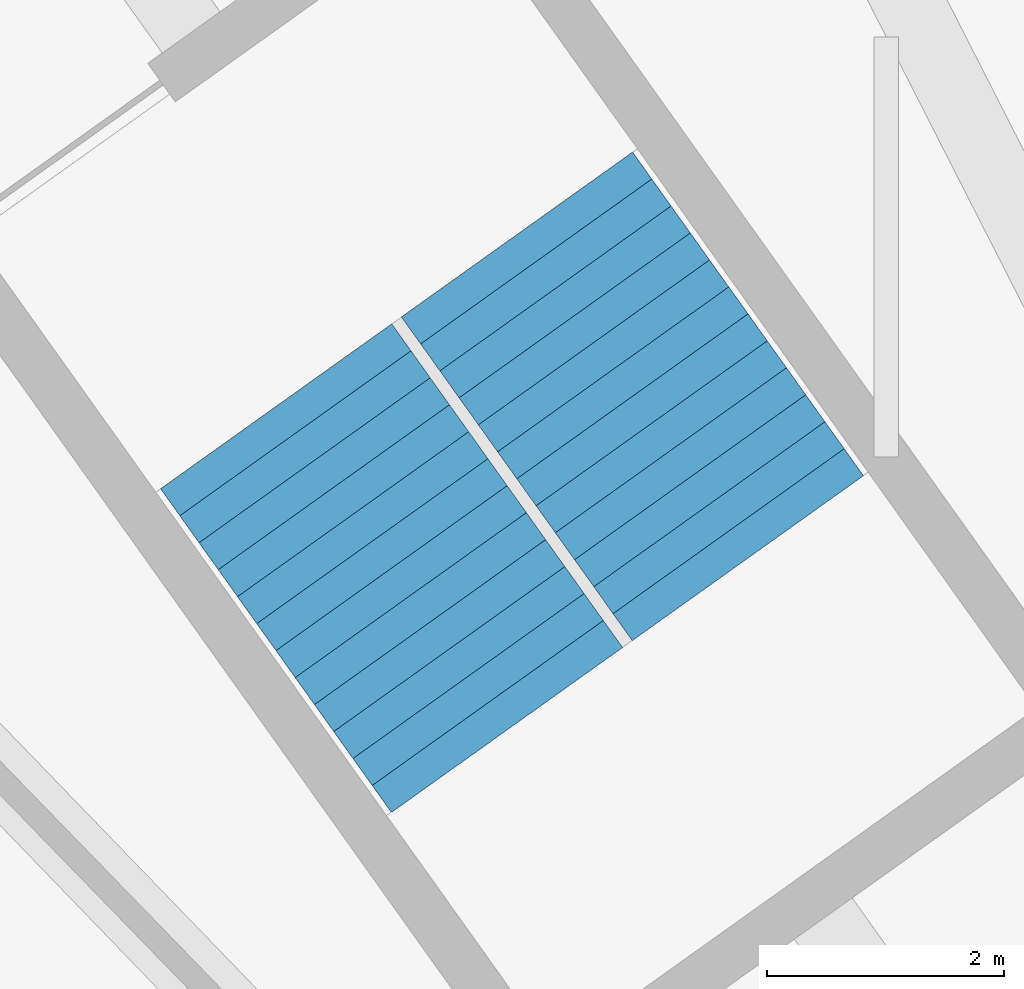
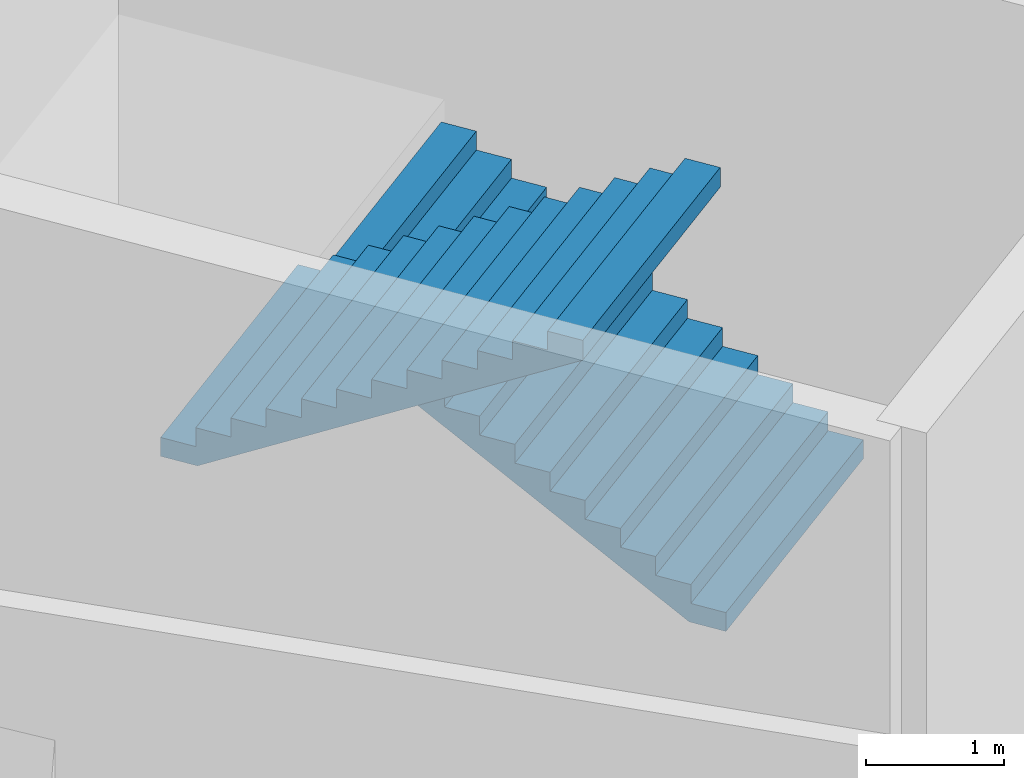
# One storey, part 34 of 47: 2 stair flights, 1 element without a shape of its own.
"""IFC4 building model written with IfcOpenShell, lengths in metres."""

from ifc_helpers import new_model, si_unit, direction, frame, origin, place, context, subcontext, project, spatial, triangles, material, type_object, element, aggregate, save


model = new_model("IFC4")

# Units and contexts
model_context = context("Model", 3, precision=1e-05, world=origin(), true_north=direction((0.0, 1.0)))
body_context = subcontext(model_context, "Body", "Model", "MODEL_VIEW")
ifc_project = project(units=[si_unit("LENGTHUNIT", "METRE"), si_unit("AREAUNIT", "SQUARE_METRE"), si_unit("VOLUMEUNIT", "CUBIC_METRE"), si_unit("PLANEANGLEUNIT", "RADIAN"), si_unit("MASSUNIT", "GRAM", prefix="KILO")], contexts=[model_context])

# Site, building, storey
site_placement = place(None, origin())
site = spatial("IfcSite", under=ifc_project, at=site_placement, CompositionType="ELEMENT")
building_placement = place(site_placement, origin())
building = spatial("IfcBuilding", under=site, at=building_placement, Name="Lantaw Convention Tower", CompositionType="ELEMENT")
storey_placement = place(building_placement, origin())
storey = spatial("IfcBuildingStorey", under=building, at=storey_placement, Name="L00", CompositionType="ELEMENT", Elevation=0.0)

# Stair, stair flights
ifc_material = material(Name="Concrete C35/45", Category="concrete")
stair_type = type_object("IfcStairType", Name="Exit stair 2400 riser 166.67 in 3 flights", PredefinedType="HALF_TURN_STAIR", material=ifc_material)
stair_placement = place(storey_placement, origin())
stair = element("IfcStair", 1, at=stair_placement, inside=storey, type_object=stair_type, Name="Podium exit stair P6 L00", PredefinedType="HALF_TURN_STAIR")
stair_flight_type = type_object("IfcStairFlightType", Name="Stair flight 2400 riser 166.67", PredefinedType="STRAIGHT", material=ifc_material)
stair_flight_1_placement = place(storey_placement, frame((-16.97021484375, 25.944091796875, 2.166748046875), z_axis=(0.0, 0.0, 1.0), x_axis=(-0.580702955711, 0.814115518356, 0.0)))
stair_flight_1 = element("IfcStairFlight", 2, at=stair_flight_1_placement, type_object=stair_flight_type, Name="P6 flight 2", NumberOfRisers=13, NumberOfTreads=12, PredefinedType="STRAIGHT", RiserHeight=0.166666667, TreadLength=0.28, context=body_context, shape_type="Tessellation", body=[
    triangles([(0.0, 1.199951171875, 0.0), (0.0, 1.199951171875, 0.166666667), (0.28, 1.199951171875, 0.0), (0.28, 1.199951171875, 0.166666667), (0.28, 1.199951171875, 0.333333334), (0.29307345806906815, 1.199951171875, 0.0), (0.29307345806906815, 1.199951171875, 0.333333334), (0.56, 1.199951171875, 0.15888484670522912), (0.56, 1.199951171875, 0.333333334), (0.56, 1.199951171875, 0.500000001), (0.8400000000000001, 1.199951171875, 0.3255515137052291), (0.8400000000000001, 1.199951171875, 0.500000001), (0.8400000000000001, 1.199951171875, 0.666666668), (1.12, 1.199951171875, 0.49221818070522905), (1.12, 1.199951171875, 0.666666668), (1.12, 1.199951171875, 0.833333335), (1.4000000000000001, 1.199951171875, 0.658884847705229), (1.4000000000000001, 1.199951171875, 0.833333335), (1.4000000000000001, 1.199951171875, 1.000000002), (1.6800000000000002, 1.199951171875, 0.825551514705229), (1.6800000000000002, 1.199951171875, 1.000000002), (1.6800000000000002, 1.199951171875, 1.166666669), (1.9600000000000002, 1.199951171875, 0.992218181705229), (1.9600000000000002, 1.199951171875, 1.166666669), (1.9600000000000002, 1.199951171875, 1.333333336), (2.24, 1.199951171875, 1.158884848705229), (2.24, 1.199951171875, 1.333333336), (2.24, 1.199951171875, 1.5000000029999998), (2.5200000000000005, 1.199951171875, 1.325551515705229), (2.5200000000000005, 1.199951171875, 1.5000000029999998), (2.5200000000000005, 1.199951171875, 1.66666667), (2.8000000000000003, 1.199951171875, 1.492218182705229), (2.8000000000000003, 1.199951171875, 1.66666667), (2.8000000000000003, 1.199951171875, 1.833333337), (3.08, 1.199951171875, 1.6588848497052289), (3.08, 1.199951171875, 1.833333337), (3.08, 1.199951171875, 2.000000004), (3.3600000000000003, 1.199951171875, 1.825551516705229), (3.3600000000000003, 1.199951171875, 2.000000004), (0.0, -1.199951171875, 0.0), (0.0, -1.199951171875, 0.166666667), (0.28, -1.199951171875, 0.0), (0.28, -1.199951171875, 0.166666667), (0.28, -1.199951171875, 0.333333334), (0.29307345806906815, -1.199951171875, 0.0), (0.29307345806906815, -1.199951171875, 0.333333334), (0.56, -1.199951171875, 0.15888484670522912), (0.56, -1.199951171875, 0.333333334), (0.56, -1.199951171875, 0.500000001), (0.8400000000000001, -1.199951171875, 0.3255515137052291), (0.8400000000000001, -1.199951171875, 0.500000001), (0.8400000000000001, -1.199951171875, 0.666666668), (1.12, -1.199951171875, 0.49221818070522905), (1.12, -1.199951171875, 0.666666668), (1.12, -1.199951171875, 0.833333335), (1.4000000000000001, -1.199951171875, 0.658884847705229), (1.4000000000000001, -1.199951171875, 0.833333335), (1.4000000000000001, -1.199951171875, 1.000000002), (1.6800000000000002, -1.199951171875, 0.825551514705229), (1.6800000000000002, -1.199951171875, 1.000000002), (1.6800000000000002, -1.199951171875, 1.166666669), (1.9600000000000002, -1.199951171875, 0.992218181705229), (1.9600000000000002, -1.199951171875, 1.166666669), (1.9600000000000002, -1.199951171875, 1.333333336), (2.24, -1.199951171875, 1.158884848705229), (2.24, -1.199951171875, 1.333333336), (2.24, -1.199951171875, 1.5000000029999998), (2.5200000000000005, -1.199951171875, 1.325551515705229), (2.5200000000000005, -1.199951171875, 1.5000000029999998), (2.5200000000000005, -1.199951171875, 1.66666667), (2.8000000000000003, -1.199951171875, 1.492218182705229), (2.8000000000000003, -1.199951171875, 1.66666667), (2.8000000000000003, -1.199951171875, 1.833333337), (3.08, -1.199951171875, 1.6588848497052289), (3.08, -1.199951171875, 1.833333337), (3.08, -1.199951171875, 2.000000004), (3.3600000000000003, -1.199951171875, 1.825551516705229), (3.3600000000000003, -1.199951171875, 2.000000004), (0.0, 0.239990234375, 0.166666667), (0.0, 0.239990234375, 0.0), (0.0, 0.0, 0.166666667), (0.0, 0.0, 0.0), (0.0, -0.239990234375, 0.166666667), (0.0, -0.239990234375, 0.0), (0.28, 0.239990234375, 0.333333334), (0.28, 0.239990234375, 0.166666667), (0.28, 0.0, 0.333333334), (0.28, 0.0, 0.166666667), (0.28, -0.239990234375, 0.333333334), (0.28, -0.239990234375, 0.166666667), (0.56, 0.239990234375, 0.500000001), (0.56, 0.239990234375, 0.333333334), (0.56, 0.0, 0.500000001), (0.56, 0.0, 0.333333334), (0.56, -0.239990234375, 0.500000001), (0.56, -0.239990234375, 0.333333334), (0.8400000000000001, 0.239990234375, 0.666666668), (0.8400000000000001, 0.239990234375, 0.500000001), (0.8400000000000001, 0.0, 0.666666668), (0.8400000000000001, 0.0, 0.500000001), (0.8400000000000001, -0.239990234375, 0.666666668), (0.8400000000000001, -0.239990234375, 0.500000001), (1.12, 0.239990234375, 0.833333335), (1.12, 0.239990234375, 0.666666668), (1.12, 0.0, 0.833333335), (1.12, 0.0, 0.666666668), (1.12, -0.239990234375, 0.833333335), (1.12, -0.239990234375, 0.666666668), (1.4000000000000001, 0.239990234375, 1.000000002), (1.4000000000000001, 0.239990234375, 0.833333335), (1.4000000000000001, 0.0, 1.000000002), (1.4000000000000001, 0.0, 0.833333335), (1.4000000000000001, -0.239990234375, 1.000000002), (1.4000000000000001, -0.239990234375, 0.833333335), (1.6800000000000002, 0.239990234375, 1.166666669), (1.6800000000000002, 0.239990234375, 1.000000002), (1.6800000000000002, 0.0, 1.166666669), (1.6800000000000002, 0.0, 1.000000002), (1.6800000000000002, -0.239990234375, 1.166666669), (1.6800000000000002, -0.239990234375, 1.000000002), (1.9600000000000002, 0.239990234375, 1.333333336), (1.9600000000000002, 0.239990234375, 1.166666669), (1.9600000000000002, 0.0, 1.333333336), (1.9600000000000002, 0.0, 1.166666669), (1.9600000000000002, -0.239990234375, 1.333333336), (1.9600000000000002, -0.239990234375, 1.166666669), (2.24, 0.239990234375, 1.5000000029999998), (2.24, 0.239990234375, 1.333333336), (2.24, 0.0, 1.5000000029999998), (2.24, 0.0, 1.333333336), (2.24, -0.239990234375, 1.5000000029999998), (2.24, -0.239990234375, 1.333333336), (2.5200000000000005, 0.239990234375, 1.66666667), (2.5200000000000005, 0.239990234375, 1.5000000029999998), (2.5200000000000005, 0.0, 1.66666667), (2.5200000000000005, 0.0, 1.5000000029999998), (2.5200000000000005, -0.239990234375, 1.66666667), (2.5200000000000005, -0.239990234375, 1.5000000029999998), (2.8000000000000003, 0.239990234375, 1.833333337), (2.8000000000000003, 0.239990234375, 1.66666667), (2.8000000000000003, 0.0, 1.833333337), (2.8000000000000003, 0.0, 1.66666667), (2.8000000000000003, -0.239990234375, 1.833333337), (2.8000000000000003, -0.239990234375, 1.66666667), (3.08, 0.239990234375, 2.000000004), (3.08, 0.239990234375, 1.833333337), (3.08, 0.0, 2.000000004), (3.08, 0.0, 1.833333337), (3.08, -0.239990234375, 2.000000004), (3.08, -0.239990234375, 1.833333337), (0.29307345806906815, 0.239990234375, 0.333333334), (0.29307345806906815, 0.0, 0.333333334), (0.29307345806906815, -0.239990234375, 0.333333334), (3.3600000000000003, 0.239990234375, 2.000000004), (3.3600000000000003, 0.0, 2.000000004), (3.3600000000000003, -0.239990234375, 2.000000004), (3.3600000000000003, 0.239990234375, 1.8255515167052292), (3.3600000000000003, 0.0, 1.8255515167052292), (3.3600000000000003, -0.239990234375, 1.8255515167052292), (3.08, 0.239990234375, 1.6588848497052289), (3.08, 0.0, 1.6588848497052289), (3.08, -0.239990234375, 1.6588848497052289), (2.8000000000000003, 0.239990234375, 1.492218182705229), (2.8000000000000003, 0.0, 1.492218182705229), (2.8000000000000003, -0.239990234375, 1.492218182705229), (2.5200000000000005, 0.239990234375, 1.325551515705229), (2.5200000000000005, 0.0, 1.325551515705229), (2.5200000000000005, -0.239990234375, 1.325551515705229), (2.24, 0.239990234375, 1.158884848705229), (2.24, 0.0, 1.158884848705229), (2.24, -0.239990234375, 1.158884848705229), (1.9600000000000002, 0.239990234375, 0.992218181705229), (1.9600000000000002, 0.0, 0.992218181705229), (1.9600000000000002, -0.239990234375, 0.992218181705229), (1.6800000000000002, 0.239990234375, 0.825551514705229), (1.6800000000000002, 0.0, 0.825551514705229), (1.6800000000000002, -0.239990234375, 0.825551514705229), (1.4000000000000001, 0.239990234375, 0.658884847705229), (1.4000000000000001, 0.0, 0.658884847705229), (1.4000000000000001, -0.239990234375, 0.658884847705229), (1.12, 0.239990234375, 0.49221818070522905), (1.12, 0.0, 0.49221818070522905), (1.12, -0.239990234375, 0.49221818070522905), (0.8400000000000001, 0.239990234375, 0.3255515137052291), (0.8400000000000001, 0.0, 0.3255515137052291), (0.8400000000000001, -0.239990234375, 0.3255515137052291), (0.56, 0.239990234375, 0.15888484670522912), (0.56, 0.0, 0.15888484670522912), (0.56, -0.239990234375, 0.15888484670522912), (0.29307345806906815, 0.239990234375, 0.0), (0.29307345806906815, 0.0, 0.0), (0.29307345806906815, -0.239990234375, 0.0), (0.28, 0.239990234375, 0.0), (0.28, 0.0, 0.0), (0.28, -0.239990234375, 0.0)], [[1, 4, 3], [1, 2, 4], [3, 4, 6], [4, 7, 6], [4, 5, 7], [6, 9, 8], [6, 7, 9], [8, 9, 11], [9, 12, 11], [9, 10, 12], [11, 12, 14], [12, 15, 14], [12, 13, 15], [14, 15, 17], [15, 18, 17], [15, 16, 18], [17, 18, 20], [18, 21, 20], [18, 19, 21], [20, 21, 23], [21, 24, 23], [21, 22, 24], [23, 24, 26], [24, 27, 26], [24, 25, 27], [26, 27, 29], [27, 30, 29], [27, 28, 30], [29, 30, 32], [30, 33, 32], [30, 31, 33], [32, 33, 35], [33, 36, 35], [33, 34, 36], [35, 36, 38], [36, 39, 38], [36, 37, 39], [40, 42, 43], [40, 43, 41], [42, 45, 43], [43, 45, 46], [43, 46, 44], [45, 47, 48], [45, 48, 46], [47, 50, 48], [48, 50, 51], [48, 51, 49], [50, 53, 51], [51, 53, 54], [51, 54, 52], [53, 56, 54], [54, 56, 57], [54, 57, 55], [56, 59, 57], [57, 59, 60], [57, 60, 58], [59, 62, 60], [60, 62, 63], [60, 63, 61], [62, 65, 63], [63, 65, 66], [63, 66, 64], [65, 68, 66], [66, 68, 69], [66, 69, 67], [68, 71, 69], [69, 71, 72], [69, 72, 70], [71, 74, 72], [72, 74, 75], [72, 75, 73], [74, 77, 75], [75, 77, 78], [75, 78, 76], [1, 79, 2], [1, 80, 79], [80, 81, 79], [80, 82, 81], [82, 83, 81], [82, 84, 83], [84, 41, 83], [84, 40, 41], [4, 85, 5], [4, 86, 85], [86, 87, 85], [86, 88, 87], [88, 89, 87], [88, 90, 89], [90, 44, 89], [90, 43, 44], [9, 91, 10], [9, 92, 91], [92, 93, 91], [92, 94, 93], [94, 95, 93], [94, 96, 95], [96, 49, 95], [96, 48, 49], [12, 97, 13], [12, 98, 97], [98, 99, 97], [98, 100, 99], [100, 101, 99], [100, 102, 101], [102, 52, 101], [102, 51, 52], [15, 103, 16], [15, 104, 103], [104, 105, 103], [104, 106, 105], [106, 107, 105], [106, 108, 107], [108, 55, 107], [108, 54, 55], [18, 109, 19], [18, 110, 109], [110, 111, 109], [110, 112, 111], [112, 113, 111], [112, 114, 113], [114, 58, 113], [114, 57, 58], [21, 115, 22], [21, 116, 115], [116, 117, 115], [116, 118, 117], [118, 119, 117], [118, 120, 119], [120, 61, 119], [120, 60, 61], [24, 121, 25], [24, 122, 121], [122, 123, 121], [122, 124, 123], [124, 125, 123], [124, 126, 125], [126, 64, 125], [126, 63, 64], [27, 127, 28], [27, 128, 127], [128, 129, 127], [128, 130, 129], [130, 131, 129], [130, 132, 131], [132, 67, 131], [132, 66, 67], [30, 133, 31], [30, 134, 133], [134, 135, 133], [134, 136, 135], [136, 137, 135], [136, 138, 137], [138, 70, 137], [138, 69, 70], [33, 139, 34], [33, 140, 139], [140, 141, 139], [140, 142, 141], [142, 143, 141], [142, 144, 143], [144, 73, 143], [144, 72, 73], [36, 145, 37], [36, 146, 145], [146, 147, 145], [146, 148, 147], [148, 149, 147], [148, 150, 149], [150, 76, 149], [150, 75, 76], [2, 86, 4], [2, 79, 86], [79, 88, 86], [79, 81, 88], [81, 90, 88], [81, 83, 90], [83, 43, 90], [83, 41, 43], [5, 151, 7], [5, 85, 151], [85, 152, 151], [85, 87, 152], [87, 153, 152], [87, 89, 153], [89, 46, 153], [89, 44, 46], [7, 92, 9], [7, 151, 92], [151, 94, 92], [151, 152, 94], [152, 96, 94], [152, 153, 96], [153, 48, 96], [153, 46, 48], [10, 98, 12], [10, 91, 98], [91, 100, 98], [91, 93, 100], [93, 102, 100], [93, 95, 102], [95, 51, 102], [95, 49, 51], [13, 104, 15], [13, 97, 104], [97, 106, 104], [97, 99, 106], [99, 108, 106], [99, 101, 108], [101, 54, 108], [101, 52, 54], [16, 110, 18], [16, 103, 110], [103, 112, 110], [103, 105, 112], [105, 114, 112], [105, 107, 114], [107, 57, 114], [107, 55, 57], [19, 116, 21], [19, 109, 116], [109, 118, 116], [109, 111, 118], [111, 120, 118], [111, 113, 120], [113, 60, 120], [113, 58, 60], [22, 122, 24], [22, 115, 122], [115, 124, 122], [115, 117, 124], [117, 126, 124], [117, 119, 126], [119, 63, 126], [119, 61, 63], [25, 128, 27], [25, 121, 128], [121, 130, 128], [121, 123, 130], [123, 132, 130], [123, 125, 132], [125, 66, 132], [125, 64, 66], [28, 134, 30], [28, 127, 134], [127, 136, 134], [127, 129, 136], [129, 138, 136], [129, 131, 138], [131, 69, 138], [131, 67, 69], [31, 140, 33], [31, 133, 140], [133, 142, 140], [133, 135, 142], [135, 144, 142], [135, 137, 144], [137, 72, 144], [137, 70, 72], [34, 146, 36], [34, 139, 146], [139, 148, 146], [139, 141, 148], [141, 150, 148], [141, 143, 150], [143, 75, 150], [143, 73, 75], [37, 154, 39], [37, 145, 154], [145, 155, 154], [145, 147, 155], [147, 156, 155], [147, 149, 156], [149, 78, 156], [149, 76, 78], [39, 157, 38], [39, 154, 157], [154, 158, 157], [154, 155, 158], [155, 159, 158], [155, 156, 159], [156, 77, 159], [156, 78, 77], [38, 160, 35], [38, 157, 160], [157, 161, 160], [157, 158, 161], [158, 162, 161], [158, 159, 162], [159, 74, 162], [159, 77, 74], [35, 163, 32], [35, 160, 163], [160, 164, 163], [160, 161, 164], [161, 165, 164], [161, 162, 165], [162, 71, 165], [162, 74, 71], [32, 166, 29], [32, 163, 166], [163, 167, 166], [163, 164, 167], [164, 168, 167], [164, 165, 168], [165, 68, 168], [165, 71, 68], [29, 169, 26], [29, 166, 169], [166, 170, 169], [166, 167, 170], [167, 171, 170], [167, 168, 171], [168, 65, 171], [168, 68, 65], [26, 172, 23], [26, 169, 172], [169, 173, 172], [169, 170, 173], [170, 174, 173], [170, 171, 174], [171, 62, 174], [171, 65, 62], [23, 175, 20], [23, 172, 175], [172, 176, 175], [172, 173, 176], [173, 177, 176], [173, 174, 177], [174, 59, 177], [174, 62, 59], [20, 178, 17], [20, 175, 178], [175, 179, 178], [175, 176, 179], [176, 180, 179], [176, 177, 180], [177, 56, 180], [177, 59, 56], [17, 181, 14], [17, 178, 181], [178, 182, 181], [178, 179, 182], [179, 183, 182], [179, 180, 183], [180, 53, 183], [180, 56, 53], [14, 184, 11], [14, 181, 184], [181, 185, 184], [181, 182, 185], [182, 186, 185], [182, 183, 186], [183, 50, 186], [183, 53, 50], [11, 187, 8], [11, 184, 187], [184, 188, 187], [184, 185, 188], [185, 189, 188], [185, 186, 189], [186, 47, 189], [186, 50, 47], [8, 190, 6], [8, 187, 190], [187, 191, 190], [187, 188, 191], [188, 192, 191], [188, 189, 192], [189, 45, 192], [189, 47, 45], [6, 193, 3], [6, 190, 193], [190, 194, 193], [190, 191, 194], [191, 195, 194], [191, 192, 195], [192, 42, 195], [192, 45, 42], [3, 80, 1], [3, 193, 80], [193, 82, 80], [193, 194, 82], [194, 84, 82], [194, 195, 84], [195, 40, 84], [195, 42, 40]], closed=True),
])
stair_flight_2_placement = place(storey_placement, frame((-20.956787109375, 27.2275390625, 4.333251953125), z_axis=(0.0, 0.0, 1.0), x_axis=(0.580702955711, -0.814115518356, 0.0)))
stair_flight_2 = element("IfcStairFlight", 3, at=stair_flight_2_placement, type_object=stair_flight_type, Name="P6 flight 3", NumberOfRisers=13, NumberOfTreads=12, PredefinedType="STRAIGHT", RiserHeight=0.166666667, TreadLength=0.28, context=body_context, shape_type="Tessellation", body=[
    triangles([(0.0, 1.199951171875, 0.0), (0.0, 1.199951171875, 0.166666667), (0.28, 1.199951171875, 0.0), (0.28, 1.199951171875, 0.166666667), (0.28, 1.199951171875, 0.333333334), (0.29307345806906815, 1.199951171875, 0.0), (0.29307345806906815, 1.199951171875, 0.333333334), (0.56, 1.199951171875, 0.15888484670522912), (0.56, 1.199951171875, 0.333333334), (0.56, 1.199951171875, 0.500000001), (0.8400000000000001, 1.199951171875, 0.3255515137052291), (0.8400000000000001, 1.199951171875, 0.500000001), (0.8400000000000001, 1.199951171875, 0.666666668), (1.12, 1.199951171875, 0.49221818070522905), (1.12, 1.199951171875, 0.666666668), (1.12, 1.199951171875, 0.833333335), (1.4000000000000001, 1.199951171875, 0.658884847705229), (1.4000000000000001, 1.199951171875, 0.833333335), (1.4000000000000001, 1.199951171875, 1.000000002), (1.6800000000000002, 1.199951171875, 0.825551514705229), (1.6800000000000002, 1.199951171875, 1.000000002), (1.6800000000000002, 1.199951171875, 1.166666669), (1.9600000000000002, 1.199951171875, 0.992218181705229), (1.9600000000000002, 1.199951171875, 1.166666669), (1.9600000000000002, 1.199951171875, 1.333333336), (2.24, 1.199951171875, 1.158884848705229), (2.24, 1.199951171875, 1.333333336), (2.24, 1.199951171875, 1.5000000029999998), (2.5200000000000005, 1.199951171875, 1.325551515705229), (2.5200000000000005, 1.199951171875, 1.5000000029999998), (2.5200000000000005, 1.199951171875, 1.66666667), (2.8000000000000003, 1.199951171875, 1.492218182705229), (2.8000000000000003, 1.199951171875, 1.66666667), (2.8000000000000003, 1.199951171875, 1.833333337), (3.08, 1.199951171875, 1.6588848497052289), (3.08, 1.199951171875, 1.833333337), (3.08, 1.199951171875, 2.000000004), (3.3600000000000003, 1.199951171875, 1.825551516705229), (3.3600000000000003, 1.199951171875, 2.000000004), (0.0, -1.199951171875, 0.0), (0.0, -1.199951171875, 0.166666667), (0.28, -1.199951171875, 0.0), (0.28, -1.199951171875, 0.166666667), (0.28, -1.199951171875, 0.333333334), (0.29307345806906815, -1.199951171875, 0.0), (0.29307345806906815, -1.199951171875, 0.333333334), (0.56, -1.199951171875, 0.15888484670522912), (0.56, -1.199951171875, 0.333333334), (0.56, -1.199951171875, 0.500000001), (0.8400000000000001, -1.199951171875, 0.3255515137052291), (0.8400000000000001, -1.199951171875, 0.500000001), (0.8400000000000001, -1.199951171875, 0.666666668), (1.12, -1.199951171875, 0.49221818070522905), (1.12, -1.199951171875, 0.666666668), (1.12, -1.199951171875, 0.833333335), (1.4000000000000001, -1.199951171875, 0.658884847705229), (1.4000000000000001, -1.199951171875, 0.833333335), (1.4000000000000001, -1.199951171875, 1.000000002), (1.6800000000000002, -1.199951171875, 0.825551514705229), (1.6800000000000002, -1.199951171875, 1.000000002), (1.6800000000000002, -1.199951171875, 1.166666669), (1.9600000000000002, -1.199951171875, 0.992218181705229), (1.9600000000000002, -1.199951171875, 1.166666669), (1.9600000000000002, -1.199951171875, 1.333333336), (2.24, -1.199951171875, 1.158884848705229), (2.24, -1.199951171875, 1.333333336), (2.24, -1.199951171875, 1.5000000029999998), (2.5200000000000005, -1.199951171875, 1.325551515705229), (2.5200000000000005, -1.199951171875, 1.5000000029999998), (2.5200000000000005, -1.199951171875, 1.66666667), (2.8000000000000003, -1.199951171875, 1.492218182705229), (2.8000000000000003, -1.199951171875, 1.66666667), (2.8000000000000003, -1.199951171875, 1.833333337), (3.08, -1.199951171875, 1.6588848497052289), (3.08, -1.199951171875, 1.833333337), (3.08, -1.199951171875, 2.000000004), (3.3600000000000003, -1.199951171875, 1.825551516705229), (3.3600000000000003, -1.199951171875, 2.000000004), (0.0, 0.239990234375, 0.166666667), (0.0, 0.239990234375, 0.0), (0.0, 0.0, 0.166666667), (0.0, 0.0, 0.0), (0.0, -0.239990234375, 0.166666667), (0.0, -0.239990234375, 0.0), (0.28, 0.239990234375, 0.333333334), (0.28, 0.239990234375, 0.166666667), (0.28, 0.0, 0.333333334), (0.28, 0.0, 0.166666667), (0.28, -0.239990234375, 0.333333334), (0.28, -0.239990234375, 0.166666667), (0.56, 0.239990234375, 0.500000001), (0.56, 0.239990234375, 0.333333334), (0.56, 0.0, 0.500000001), (0.56, 0.0, 0.333333334), (0.56, -0.239990234375, 0.500000001), (0.56, -0.239990234375, 0.333333334), (0.8400000000000001, 0.239990234375, 0.666666668), (0.8400000000000001, 0.239990234375, 0.500000001), (0.8400000000000001, 0.0, 0.666666668), (0.8400000000000001, 0.0, 0.500000001), (0.8400000000000001, -0.239990234375, 0.666666668), (0.8400000000000001, -0.239990234375, 0.500000001), (1.12, 0.239990234375, 0.833333335), (1.12, 0.239990234375, 0.666666668), (1.12, 0.0, 0.833333335), (1.12, 0.0, 0.666666668), (1.12, -0.239990234375, 0.833333335), (1.12, -0.239990234375, 0.666666668), (1.4000000000000001, 0.239990234375, 1.000000002), (1.4000000000000001, 0.239990234375, 0.833333335), (1.4000000000000001, 0.0, 1.000000002), (1.4000000000000001, 0.0, 0.833333335), (1.4000000000000001, -0.239990234375, 1.000000002), (1.4000000000000001, -0.239990234375, 0.833333335), (1.6800000000000002, 0.239990234375, 1.166666669), (1.6800000000000002, 0.239990234375, 1.000000002), (1.6800000000000002, 0.0, 1.166666669), (1.6800000000000002, 0.0, 1.000000002), (1.6800000000000002, -0.239990234375, 1.166666669), (1.6800000000000002, -0.239990234375, 1.000000002), (1.9600000000000002, 0.239990234375, 1.333333336), (1.9600000000000002, 0.239990234375, 1.166666669), (1.9600000000000002, 0.0, 1.333333336), (1.9600000000000002, 0.0, 1.166666669), (1.9600000000000002, -0.239990234375, 1.333333336), (1.9600000000000002, -0.239990234375, 1.166666669), (2.24, 0.239990234375, 1.5000000029999998), (2.24, 0.239990234375, 1.333333336), (2.24, 0.0, 1.5000000029999998), (2.24, 0.0, 1.333333336), (2.24, -0.239990234375, 1.5000000029999998), (2.24, -0.239990234375, 1.333333336), (2.5200000000000005, 0.239990234375, 1.66666667), (2.5200000000000005, 0.239990234375, 1.5000000029999998), (2.5200000000000005, 0.0, 1.66666667), (2.5200000000000005, 0.0, 1.5000000029999998), (2.5200000000000005, -0.239990234375, 1.66666667), (2.5200000000000005, -0.239990234375, 1.5000000029999998), (2.8000000000000003, 0.239990234375, 1.833333337), (2.8000000000000003, 0.239990234375, 1.66666667), (2.8000000000000003, 0.0, 1.833333337), (2.8000000000000003, 0.0, 1.66666667), (2.8000000000000003, -0.239990234375, 1.833333337), (2.8000000000000003, -0.239990234375, 1.66666667), (3.08, 0.239990234375, 2.000000004), (3.08, 0.239990234375, 1.833333337), (3.08, 0.0, 2.000000004), (3.08, 0.0, 1.833333337), (3.08, -0.239990234375, 2.000000004), (3.08, -0.239990234375, 1.833333337), (0.29307345806906815, 0.239990234375, 0.333333334), (0.29307345806906815, 0.0, 0.333333334), (0.29307345806906815, -0.239990234375, 0.333333334), (3.3600000000000003, 0.239990234375, 2.000000004), (3.3600000000000003, 0.0, 2.000000004), (3.3600000000000003, -0.239990234375, 2.000000004), (3.3600000000000003, 0.239990234375, 1.8255515167052292), (3.3600000000000003, 0.0, 1.8255515167052292), (3.3600000000000003, -0.239990234375, 1.8255515167052292), (3.08, 0.239990234375, 1.6588848497052289), (3.08, 0.0, 1.6588848497052289), (3.08, -0.239990234375, 1.6588848497052289), (2.8000000000000003, 0.239990234375, 1.492218182705229), (2.8000000000000003, 0.0, 1.492218182705229), (2.8000000000000003, -0.239990234375, 1.492218182705229), (2.5200000000000005, 0.239990234375, 1.325551515705229), (2.5200000000000005, 0.0, 1.325551515705229), (2.5200000000000005, -0.239990234375, 1.325551515705229), (2.24, 0.239990234375, 1.158884848705229), (2.24, 0.0, 1.158884848705229), (2.24, -0.239990234375, 1.158884848705229), (1.9600000000000002, 0.239990234375, 0.992218181705229), (1.9600000000000002, 0.0, 0.992218181705229), (1.9600000000000002, -0.239990234375, 0.992218181705229), (1.6800000000000002, 0.239990234375, 0.825551514705229), (1.6800000000000002, 0.0, 0.825551514705229), (1.6800000000000002, -0.239990234375, 0.825551514705229), (1.4000000000000001, 0.239990234375, 0.658884847705229), (1.4000000000000001, 0.0, 0.658884847705229), (1.4000000000000001, -0.239990234375, 0.658884847705229), (1.12, 0.239990234375, 0.49221818070522905), (1.12, 0.0, 0.49221818070522905), (1.12, -0.239990234375, 0.49221818070522905), (0.8400000000000001, 0.239990234375, 0.3255515137052291), (0.8400000000000001, 0.0, 0.3255515137052291), (0.8400000000000001, -0.239990234375, 0.3255515137052291), (0.56, 0.239990234375, 0.15888484670522912), (0.56, 0.0, 0.15888484670522912), (0.56, -0.239990234375, 0.15888484670522912), (0.29307345806906815, 0.239990234375, 0.0), (0.29307345806906815, 0.0, 0.0), (0.29307345806906815, -0.239990234375, 0.0), (0.28, 0.239990234375, 0.0), (0.28, 0.0, 0.0), (0.28, -0.239990234375, 0.0)], [[1, 4, 3], [1, 2, 4], [3, 4, 6], [4, 7, 6], [4, 5, 7], [6, 9, 8], [6, 7, 9], [8, 9, 11], [9, 12, 11], [9, 10, 12], [11, 12, 14], [12, 15, 14], [12, 13, 15], [14, 15, 17], [15, 18, 17], [15, 16, 18], [17, 18, 20], [18, 21, 20], [18, 19, 21], [20, 21, 23], [21, 24, 23], [21, 22, 24], [23, 24, 26], [24, 27, 26], [24, 25, 27], [26, 27, 29], [27, 30, 29], [27, 28, 30], [29, 30, 32], [30, 33, 32], [30, 31, 33], [32, 33, 35], [33, 36, 35], [33, 34, 36], [35, 36, 38], [36, 39, 38], [36, 37, 39], [40, 42, 43], [40, 43, 41], [42, 45, 43], [43, 45, 46], [43, 46, 44], [45, 47, 48], [45, 48, 46], [47, 50, 48], [48, 50, 51], [48, 51, 49], [50, 53, 51], [51, 53, 54], [51, 54, 52], [53, 56, 54], [54, 56, 57], [54, 57, 55], [56, 59, 57], [57, 59, 60], [57, 60, 58], [59, 62, 60], [60, 62, 63], [60, 63, 61], [62, 65, 63], [63, 65, 66], [63, 66, 64], [65, 68, 66], [66, 68, 69], [66, 69, 67], [68, 71, 69], [69, 71, 72], [69, 72, 70], [71, 74, 72], [72, 74, 75], [72, 75, 73], [74, 77, 75], [75, 77, 78], [75, 78, 76], [1, 79, 2], [1, 80, 79], [80, 81, 79], [80, 82, 81], [82, 83, 81], [82, 84, 83], [84, 41, 83], [84, 40, 41], [4, 85, 5], [4, 86, 85], [86, 87, 85], [86, 88, 87], [88, 89, 87], [88, 90, 89], [90, 44, 89], [90, 43, 44], [9, 91, 10], [9, 92, 91], [92, 93, 91], [92, 94, 93], [94, 95, 93], [94, 96, 95], [96, 49, 95], [96, 48, 49], [12, 97, 13], [12, 98, 97], [98, 99, 97], [98, 100, 99], [100, 101, 99], [100, 102, 101], [102, 52, 101], [102, 51, 52], [15, 103, 16], [15, 104, 103], [104, 105, 103], [104, 106, 105], [106, 107, 105], [106, 108, 107], [108, 55, 107], [108, 54, 55], [18, 109, 19], [18, 110, 109], [110, 111, 109], [110, 112, 111], [112, 113, 111], [112, 114, 113], [114, 58, 113], [114, 57, 58], [21, 115, 22], [21, 116, 115], [116, 117, 115], [116, 118, 117], [118, 119, 117], [118, 120, 119], [120, 61, 119], [120, 60, 61], [24, 121, 25], [24, 122, 121], [122, 123, 121], [122, 124, 123], [124, 125, 123], [124, 126, 125], [126, 64, 125], [126, 63, 64], [27, 127, 28], [27, 128, 127], [128, 129, 127], [128, 130, 129], [130, 131, 129], [130, 132, 131], [132, 67, 131], [132, 66, 67], [30, 133, 31], [30, 134, 133], [134, 135, 133], [134, 136, 135], [136, 137, 135], [136, 138, 137], [138, 70, 137], [138, 69, 70], [33, 139, 34], [33, 140, 139], [140, 141, 139], [140, 142, 141], [142, 143, 141], [142, 144, 143], [144, 73, 143], [144, 72, 73], [36, 145, 37], [36, 146, 145], [146, 147, 145], [146, 148, 147], [148, 149, 147], [148, 150, 149], [150, 76, 149], [150, 75, 76], [2, 86, 4], [2, 79, 86], [79, 88, 86], [79, 81, 88], [81, 90, 88], [81, 83, 90], [83, 43, 90], [83, 41, 43], [5, 151, 7], [5, 85, 151], [85, 152, 151], [85, 87, 152], [87, 153, 152], [87, 89, 153], [89, 46, 153], [89, 44, 46], [7, 92, 9], [7, 151, 92], [151, 94, 92], [151, 152, 94], [152, 96, 94], [152, 153, 96], [153, 48, 96], [153, 46, 48], [10, 98, 12], [10, 91, 98], [91, 100, 98], [91, 93, 100], [93, 102, 100], [93, 95, 102], [95, 51, 102], [95, 49, 51], [13, 104, 15], [13, 97, 104], [97, 106, 104], [97, 99, 106], [99, 108, 106], [99, 101, 108], [101, 54, 108], [101, 52, 54], [16, 110, 18], [16, 103, 110], [103, 112, 110], [103, 105, 112], [105, 114, 112], [105, 107, 114], [107, 57, 114], [107, 55, 57], [19, 116, 21], [19, 109, 116], [109, 118, 116], [109, 111, 118], [111, 120, 118], [111, 113, 120], [113, 60, 120], [113, 58, 60], [22, 122, 24], [22, 115, 122], [115, 124, 122], [115, 117, 124], [117, 126, 124], [117, 119, 126], [119, 63, 126], [119, 61, 63], [25, 128, 27], [25, 121, 128], [121, 130, 128], [121, 123, 130], [123, 132, 130], [123, 125, 132], [125, 66, 132], [125, 64, 66], [28, 134, 30], [28, 127, 134], [127, 136, 134], [127, 129, 136], [129, 138, 136], [129, 131, 138], [131, 69, 138], [131, 67, 69], [31, 140, 33], [31, 133, 140], [133, 142, 140], [133, 135, 142], [135, 144, 142], [135, 137, 144], [137, 72, 144], [137, 70, 72], [34, 146, 36], [34, 139, 146], [139, 148, 146], [139, 141, 148], [141, 150, 148], [141, 143, 150], [143, 75, 150], [143, 73, 75], [37, 154, 39], [37, 145, 154], [145, 155, 154], [145, 147, 155], [147, 156, 155], [147, 149, 156], [149, 78, 156], [149, 76, 78], [39, 157, 38], [39, 154, 157], [154, 158, 157], [154, 155, 158], [155, 159, 158], [155, 156, 159], [156, 77, 159], [156, 78, 77], [38, 160, 35], [38, 157, 160], [157, 161, 160], [157, 158, 161], [158, 162, 161], [158, 159, 162], [159, 74, 162], [159, 77, 74], [35, 163, 32], [35, 160, 163], [160, 164, 163], [160, 161, 164], [161, 165, 164], [161, 162, 165], [162, 71, 165], [162, 74, 71], [32, 166, 29], [32, 163, 166], [163, 167, 166], [163, 164, 167], [164, 168, 167], [164, 165, 168], [165, 68, 168], [165, 71, 68], [29, 169, 26], [29, 166, 169], [166, 170, 169], [166, 167, 170], [167, 171, 170], [167, 168, 171], [168, 65, 171], [168, 68, 65], [26, 172, 23], [26, 169, 172], [169, 173, 172], [169, 170, 173], [170, 174, 173], [170, 171, 174], [171, 62, 174], [171, 65, 62], [23, 175, 20], [23, 172, 175], [172, 176, 175], [172, 173, 176], [173, 177, 176], [173, 174, 177], [174, 59, 177], [174, 62, 59], [20, 178, 17], [20, 175, 178], [175, 179, 178], [175, 176, 179], [176, 180, 179], [176, 177, 180], [177, 56, 180], [177, 59, 56], [17, 181, 14], [17, 178, 181], [178, 182, 181], [178, 179, 182], [179, 183, 182], [179, 180, 183], [180, 53, 183], [180, 56, 53], [14, 184, 11], [14, 181, 184], [181, 185, 184], [181, 182, 185], [182, 186, 185], [182, 183, 186], [183, 50, 186], [183, 53, 50], [11, 187, 8], [11, 184, 187], [184, 188, 187], [184, 185, 188], [185, 189, 188], [185, 186, 189], [186, 47, 189], [186, 50, 47], [8, 190, 6], [8, 187, 190], [187, 191, 190], [187, 188, 191], [188, 192, 191], [188, 189, 192], [189, 45, 192], [189, 47, 45], [6, 193, 3], [6, 190, 193], [190, 194, 193], [190, 191, 194], [191, 195, 194], [191, 192, 195], [192, 42, 195], [192, 45, 42], [3, 80, 1], [3, 193, 80], [193, 82, 80], [193, 194, 82], [194, 84, 82], [194, 195, 84], [195, 40, 84], [195, 42, 40]], closed=True),
])
aggregate(stair, [stair_flight_1, stair_flight_2])

save(model, "model.ifc")
